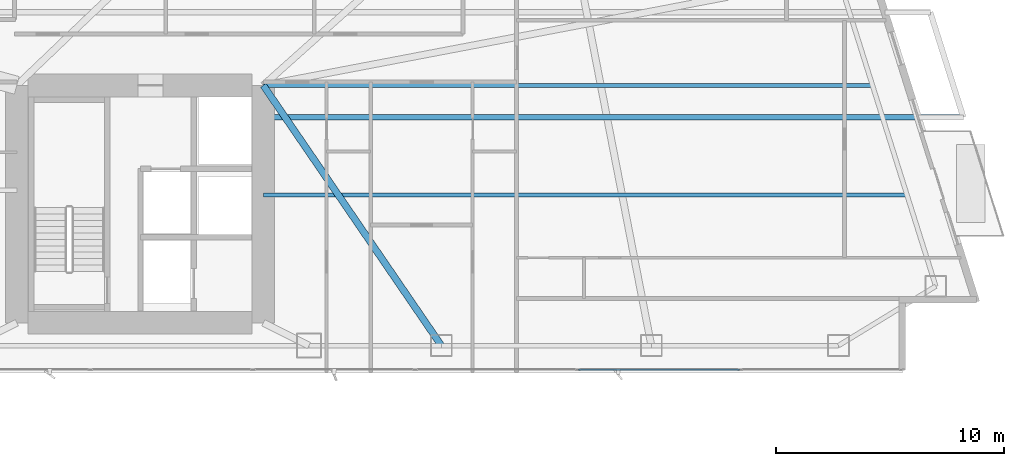
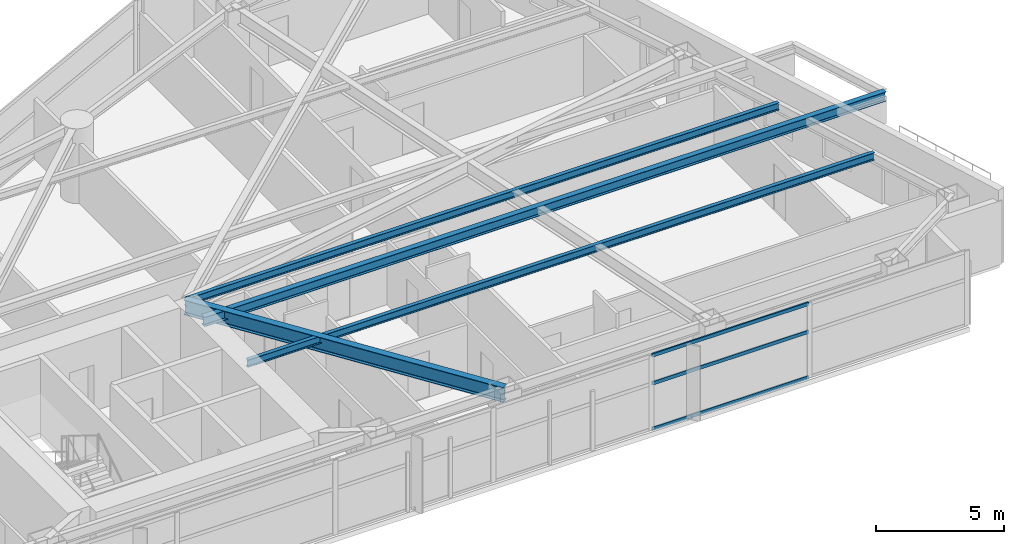
# One storey, part 13 of 30: 4 beams, 3 members, 1 element without a shape of its own.
"""IFC4 building model written with IfcOpenShell, lengths in metres."""

from ifc_helpers import new_model, si_unit, direction, frame, origin, origin_2d, place, context, subcontext, project, spatial, hollow_rectangle, i_section, extrude, material, layer, layer_set, material_profile, profile_set, type_object, element, aggregate, save


model = new_model("IFC4")

# Units and contexts
model_context = context("Model", 3, precision=1e-05, world=origin(), true_north=direction((0.0, 1.0)))
body_context = subcontext(model_context, "Body", "Model", "MODEL_VIEW")
ifc_project = project(units=[si_unit("LENGTHUNIT", "METRE"), si_unit("AREAUNIT", "SQUARE_METRE"), si_unit("VOLUMEUNIT", "CUBIC_METRE"), si_unit("PLANEANGLEUNIT", "RADIAN"), si_unit("MASSUNIT", "GRAM", prefix="KILO")], contexts=[model_context])

# Site, building, storey
site_placement = place(None, origin())
site = spatial("IfcSite", under=ifc_project, at=site_placement, CompositionType="ELEMENT")
building_placement = place(site_placement, origin())
building = spatial("IfcBuilding", under=site, at=building_placement, Name="Calvorn Quay Hotel", CompositionType="ELEMENT")
storey_placement = place(building_placement, frame((0.0, 0.0, 77.39990234375)))
storey = spatial("IfcBuildingStorey", under=building, at=storey_placement, Name="L18", CompositionType="ELEMENT", Elevation=77.39990234375)

# Beams
ifc_material_1 = material(Name="Steel Q355B", Category="steel")
ifc_material_profile_1 = material_profile(ifc_material_1, i_section(OverallWidth=0.25, OverallDepth=0.449951171875, WebThickness=0.011962890625, FlangeThickness=0.01611328125, FilletRadius=0.01611328125, at=origin_2d()), Name="HN450x250x12x16")
ifc_profile_set_1 = profile_set([ifc_material_profile_1], Name="Steel Q355B")
beam_type_1 = type_object("IfcBeamType", Name="BM-CANT-BALC", PredefinedType="BEAM", material=ifc_profile_set_1)
beam_1_placement = place(storey_placement, frame((32.39990234375, 13.60009765625, 3.315185546875), z_axis=(1.0, 0.0, 0.0), x_axis=(0.0, 1.0, 0.0)))
element("IfcBeam", 1, at=beam_1_placement, inside=storey, type_object=beam_type_1, Name="Cantilever Balcony Beam BCB-L19-1A", PredefinedType="BEAM", context=body_context, shape_type="SweptSolid", body=[
    extrude(i_section(OverallWidth=0.25, OverallDepth=0.449951171875, WebThickness=0.011962890625, FlangeThickness=0.01611328125, FilletRadius=0.01611328125, at=origin_2d()), origin(), (0.0, 0.0, 1.0), 30.669189453125),
])
ifc_material_2 = material(Name="Steel Q390GJC", Category="steel")
ifc_material_profile_2 = material_profile(ifc_material_2, i_section(OverallWidth=0.300048828125, OverallDepth=0.699951171875, WebThickness=0.012939453125, FlangeThickness=0.02392578125, FilletRadius=0.02392578125, at=origin_2d()), Name="HN700x300x13x24")
ifc_profile_set_2 = profile_set([ifc_material_profile_2], Name="Steel Q390GJC")
beam_type_2 = type_object("IfcBeamType", Name="BM-GIRD-MAIN", PredefinedType="BEAM", material=ifc_profile_set_2)
beam_2_placement = place(storey_placement, frame((40.199951171875, 3.60009765625, 3.190185546875), z_axis=(-0.564689618177, 0.825303359452, 0.0), x_axis=(-0.825303359452, -0.564689618177, 0.0)))
element("IfcBeam", 2, at=beam_2_placement, inside=storey, type_object=beam_type_2, Name="Beam BG-L18-E6", PredefinedType="BEAM", context=body_context, shape_type="SweptSolid", body=[
    extrude(i_section(OverallWidth=0.300048828125, OverallDepth=0.699951171875, WebThickness=0.012939453125, FlangeThickness=0.02392578125, FilletRadius=0.02392578125, at=origin_2d()), origin(), (0.0, 0.0, 1.0), 13.81298828125),
])
ifc_material_3 = material(Name="Steel Q355B", Category="steel")
ifc_material_profile_3 = material_profile(ifc_material_3, i_section(OverallWidth=0.175048828125, OverallDepth=0.35009765625, WebThickness=0.007080078125, FlangeThickness=0.010986328125, FilletRadius=0.013916015625, at=origin_2d()), Name="HN350x175x7x11")
ifc_profile_set_3 = profile_set([ifc_material_profile_3], Name="Steel Q355B")
beam_type_3 = type_object("IfcBeamType", Name="BM-JOIST-SEC", PredefinedType="JOIST", material=ifc_profile_set_3)
beam_3_placement = place(storey_placement, frame((32.39990234375, 10.199951171875, 3.364990234375), z_axis=(1.0, 0.0, 0.0), x_axis=(0.0, 1.0, 0.0)))
element("IfcBeam", 3, at=beam_3_placement, inside=storey, type_object=beam_type_3, Name="Beam BJ-L18-E1", PredefinedType="JOIST", context=body_context, shape_type="SweptSolid", body=[
    extrude(i_section(OverallWidth=0.175048828125, OverallDepth=0.35009765625, WebThickness=0.007080078125, FlangeThickness=0.010986328125, FilletRadius=0.013916015625, at=origin_2d()), origin(), (0.0, 0.0, 1.0), 28.201171875),
])
beam_4_placement = place(storey_placement, frame((32.39990234375, 15.0, 3.364990234375), z_axis=(1.0, 0.0, 0.0), x_axis=(0.0, 1.0, 0.0)))
element("IfcBeam", 4, at=beam_4_placement, inside=storey, type_object=beam_type_3, Name="Beam BJ-L18-E2", PredefinedType="JOIST", context=body_context, shape_type="SweptSolid", body=[
    extrude(i_section(OverallWidth=0.175048828125, OverallDepth=0.35009765625, WebThickness=0.007080078125, FlangeThickness=0.010986328125, FilletRadius=0.013916015625, at=origin_2d()), origin(), (0.0, 0.0, 1.0), 26.68798828125),
])

# Curtain wall, members
ifc_material_4 = material(Name="Pale Anodised Aluminium and Low-E Glass", Category="aluminium")
ifc_layer = layer(ifc_material_4, 0.219970703125)
ifc_layer_set = layer_set([ifc_layer], Name="CW-SYS-Z1")
curtain_wall_type = type_object("IfcCurtainWallType", Name="CW-SYS-Z1", PredefinedType="NOTDEFINED", material=ifc_layer_set)
curtain_wall_placement = place(storey_placement, origin())
curtain_wall = element("IfcCurtainWall", 5, at=curtain_wall_placement, inside=storey, type_object=curtain_wall_type, Name="Tower South Waterfront Curtain Wall (L18)", PredefinedType="NOTDEFINED")
ifc_material_5 = material(Name="Pale Anodised Aluminium 6063-T6", Category="aluminium")
ifc_material_profile_4 = material_profile(ifc_material_5, hollow_rectangle(XDim=0.06494140625, YDim=0.1650390625, WallThickness=0.00341796875, at=origin_2d()), Name="ALU-T165x65x3.5")
ifc_profile_set_4 = profile_set([ifc_material_profile_4], Name="Pale Anodised Aluminium 6063-T6")
member_type = type_object("IfcMemberType", Name="CW-SYS-Z1-TRN", PredefinedType="USERDEFINED", material=ifc_profile_set_4)
member_1_placement = place(storey_placement, frame((46.201416015625, 2.550048828125, 0.030029296875), z_axis=(1.0, 0.0, 0.0), x_axis=(0.0, 1.0, 0.0)))
member_1 = element("IfcMember", 6, at=member_1_placement, type_object=member_type, Name="CW-L18-S transom 6.1", ObjectType="TRANSOM", PredefinedType="USERDEFINED", context=body_context, shape_type="SweptSolid", body=[
    extrude(hollow_rectangle(XDim=0.06494140625, YDim=0.1650390625, WallThickness=0.00341796875, at=origin_2d()), origin(), (0.0, 0.0, 1.0), 7.05419921875),
])
member_2_placement = place(storey_placement, frame((46.201416015625, 2.550048828125, 2.2001953125), z_axis=(1.0, 0.0, 0.0), x_axis=(0.0, 1.0, 0.0)))
member_2 = element("IfcMember", 7, at=member_2_placement, type_object=member_type, Name="CW-L18-S transom 6.2", ObjectType="TRANSOM", PredefinedType="USERDEFINED", context=body_context, shape_type="SweptSolid", body=[
    extrude(hollow_rectangle(XDim=0.06494140625, YDim=0.1650390625, WallThickness=0.00341796875, at=origin_2d()), origin(), (0.0, 0.0, 1.0), 7.05419921875),
])
member_3_placement = place(storey_placement, frame((46.201416015625, 2.550048828125, 3.530029296875), z_axis=(1.0, 0.0, 0.0), x_axis=(0.0, 1.0, 0.0)))
member_3 = element("IfcMember", 8, at=member_3_placement, type_object=member_type, Name="CW-L18-S transom 6.3", ObjectType="TRANSOM", PredefinedType="USERDEFINED", context=body_context, shape_type="SweptSolid", body=[
    extrude(hollow_rectangle(XDim=0.06494140625, YDim=0.1650390625, WallThickness=0.00341796875, at=origin_2d()), origin(), (0.0, 0.0, 1.0), 7.05419921875),
])
aggregate(curtain_wall, [member_1, member_2, member_3])

save(model, "model.ifc")
